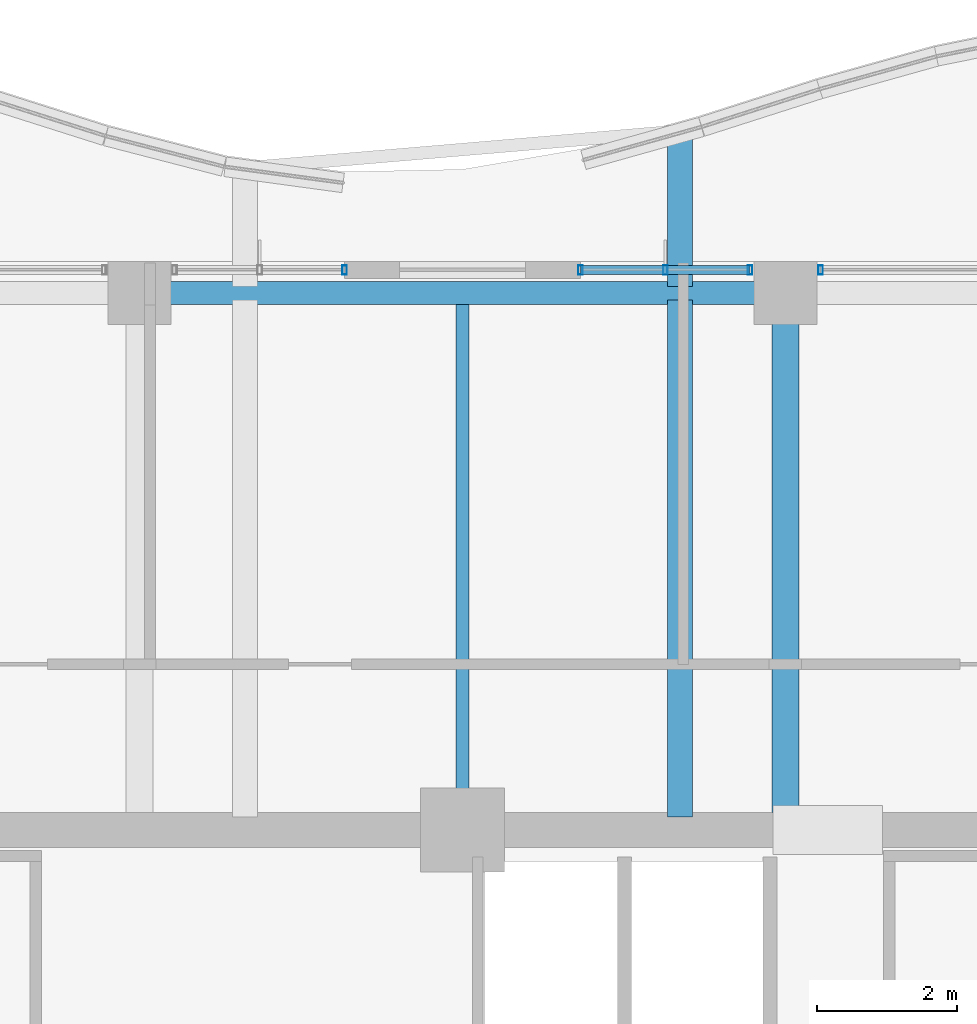
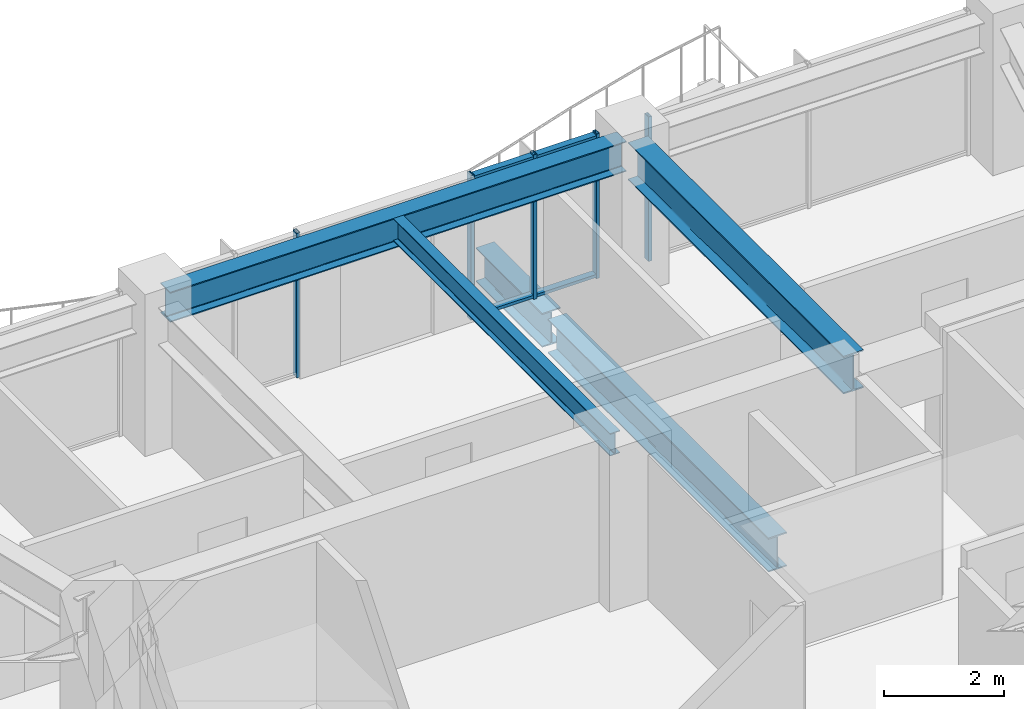
# One storey, part 18 of 31: 7 members, 5 beams, 3 elements without a shape of their own.
"""IFC4 building model written with IfcOpenShell, lengths in metres."""

from ifc_helpers import new_model, si_unit, direction, frame, origin, origin_2d, place, context, subcontext, project, spatial, hollow_rectangle, i_section, extrude, material, material_profile, profile_set, type_object, element, aggregate, save


model = new_model("IFC4")

# Units and contexts
model_context = context("Model", 3, precision=1e-05, world=origin(), true_north=direction((0.0, 1.0)))
body_context = subcontext(model_context, "Body", "Model", "MODEL_VIEW")
ifc_project = project(units=[si_unit("LENGTHUNIT", "METRE"), si_unit("AREAUNIT", "SQUARE_METRE"), si_unit("VOLUMEUNIT", "CUBIC_METRE"), si_unit("PLANEANGLEUNIT", "RADIAN"), si_unit("MASSUNIT", "GRAM", prefix="KILO")], contexts=[model_context])

# Site, building, storey
site_placement = place(None, origin())
site = spatial("IfcSite", under=ifc_project, at=site_placement, CompositionType="ELEMENT")
building_placement = place(site_placement, origin())
building = spatial("IfcBuilding", under=site, at=building_placement, Name="Kolvaren Belvedere", CompositionType="ELEMENT")
storey_placement = place(building_placement, frame((0.0, 0.0, 144.800048828125)))
storey = spatial("IfcBuildingStorey", under=building, at=storey_placement, Name="L42", CompositionType="ELEMENT", Elevation=144.800048828125)

# Beams
ifc_material_1 = material(Name="Structural steel ASTM A992 Grade 50", Category="steel")
ifc_material_profile_1 = material_profile(ifc_material_1, i_section(OverallWidth=0.35498046875, OverallDepth=0.696044921875, WebThickness=0.015380859375, FlangeThickness=0.02490234375, FilletRadius=0.02197265625, at=origin_2d()), Name="W27X146")
ifc_profile_set_1 = profile_set([ifc_material_profile_1], Name="Structural steel ASTM A992 Grade 50")
beam_type_1 = type_object("IfcBeamType", Name="BM-CANT-BAL", PredefinedType="BEAM", material=ifc_profile_set_1)
beam_1_placement = place(storey_placement, frame((3.10009765625, 17.64501953125, -0.548095703125), z_axis=(0.0, 1.0, 0.0), x_axis=(-1.0, 0.0, 0.0)))
element("IfcBeam", 1, at=beam_1_placement, inside=storey, type_object=beam_type_1, Name="L42 Planted Balcony Cantilever BAL-N-2", PredefinedType="BEAM", context=body_context, shape_type="SweptSolid", body=[
    extrude(i_section(OverallWidth=0.35498046875, OverallDepth=0.696044921875, WebThickness=0.015380859375, FlangeThickness=0.02490234375, FilletRadius=0.02197265625, at=origin_2d()), origin(), (0.0, 0.0, 1.0), 2.213623046875),
])
ifc_material_2 = material(Name="Structural steel ASTM A992 Grade 50", Category="steel")
ifc_material_profile_2 = material_profile(ifc_material_2, i_section(OverallWidth=0.35498046875, OverallDepth=0.696044921875, WebThickness=0.015380859375, FlangeThickness=0.02490234375, FilletRadius=0.02197265625, at=origin_2d()), Name="W27X146")
ifc_profile_set_2 = profile_set([ifc_material_profile_2], Name="Structural steel ASTM A992 Grade 50")
beam_type_2 = type_object("IfcBeamType", Name="BM-GIRD-W27X146", PredefinedType="BEAM", material=ifc_profile_set_2)
beam_2_placement = place(storey_placement, frame((3.10009765625, 10.090087890625, -0.548095703125), z_axis=(0.0, 1.0, 0.0), x_axis=(-1.0, 0.0, 0.0)))
element("IfcBeam", 2, at=beam_2_placement, inside=storey, type_object=beam_type_2, Name="L42 Balcony Interior Back-Span Girder BAL-N-2", PredefinedType="BEAM", context=body_context, shape_type="SweptSolid", body=[
    extrude(i_section(OverallWidth=0.35498046875, OverallDepth=0.696044921875, WebThickness=0.015380859375, FlangeThickness=0.02490234375, FilletRadius=0.02197265625, at=origin_2d()), origin(), (0.0, 0.0, 1.0), 7.364990234375),
])
ifc_material_3 = material(Name="Structural steel ASTM A992 Grade 50", Category="steel")
ifc_material_profile_3 = material_profile(ifc_material_3, i_section(OverallWidth=0.381103515625, OverallDepth=0.77294921875, WebThickness=0.0166015625, FlangeThickness=0.027099609375, FilletRadius=0.02392578125, at=origin_2d()), Name="W30X173")
ifc_profile_set_3 = profile_set([ifc_material_profile_3], Name="Structural steel ASTM A992 Grade 50")
beam_type_3 = type_object("IfcBeamType", Name="BM-GIRD-W30X173", PredefinedType="BEAM", material=ifc_profile_set_3)
beam_3_placement = place(storey_placement, frame((4.60009765625, 10.14990234375, 2.5634765625), z_axis=(0.0, 1.0, 0.0), x_axis=(-1.0, 0.0, 0.0)))
element("IfcBeam", 3, at=beam_3_placement, inside=storey, type_object=beam_type_3, Name="L42 North Radial Girder P", PredefinedType="BEAM", context=body_context, shape_type="SweptSolid", body=[
    extrude(i_section(OverallWidth=0.381103515625, OverallDepth=0.77294921875, WebThickness=0.0166015625, FlangeThickness=0.027099609375, FilletRadius=0.02392578125, at=origin_2d()), origin(), (0.0, 0.0, 1.0), 7.197509765625),
])
ifc_material_4 = material(Name="Structural steel ASTM A992 Grade 50", Category="steel")
ifc_material_profile_4 = material_profile(ifc_material_4, i_section(OverallWidth=0.19091796875, OverallDepth=0.4599609375, WebThickness=0.010009765625, FlangeThickness=0.01611328125, FilletRadius=0.014892578125, at=origin_2d()), Name="W18X55")
ifc_profile_set_4 = profile_set([ifc_material_profile_4], Name="Structural steel ASTM A992 Grade 50")
beam_type_4 = type_object("IfcBeamType", Name="BM-JOIST-W18X55", PredefinedType="BEAM", material=ifc_profile_set_4)
beam_4_placement = place(storey_placement, frame((0.0, 10.14990234375, 2.719970703125), z_axis=(0.0, 1.0, 0.0), x_axis=(-1.0, 0.0, 0.0)))
element("IfcBeam", 4, at=beam_4_placement, inside=storey, type_object=beam_type_4, Name="L42 North Centre Floor Beam", PredefinedType="BEAM", context=body_context, shape_type="SweptSolid", body=[
    extrude(i_section(OverallWidth=0.19091796875, OverallDepth=0.4599609375, WebThickness=0.010009765625, FlangeThickness=0.01611328125, FilletRadius=0.014892578125, at=origin_2d()), origin(), (0.0, 0.0, 1.0), 7.237548828125),
])
ifc_material_5 = material(Name="Structural steel ASTM A992 Grade 50", Category="steel")
ifc_material_profile_5 = material_profile(ifc_material_5, i_section(OverallWidth=0.324951171875, OverallDepth=0.615966796875, WebThickness=0.013916015625, FlangeThickness=0.021484375, FilletRadius=0.02001953125, at=origin_2d()), Name="W24X117")
ifc_profile_set_5 = profile_set([ifc_material_profile_5], Name="Structural steel ASTM A992 Grade 50")
beam_type_5 = type_object("IfcBeamType", Name="BM-SPAN-W24X117", PredefinedType="SPANDREL", material=ifc_profile_set_5)
beam_5_placement = place(storey_placement, frame((4.3974609375, 17.550048828125, 2.641845703125), z_axis=(-1.0, 0.0, 0.0), x_axis=(0.0, -1.0, 0.0)))
element("IfcBeam", 5, at=beam_5_placement, inside=storey, type_object=beam_type_5, Name="L42 Perimeter Spandrel N3-N2", PredefinedType="SPANDREL", context=body_context, shape_type="SweptSolid", body=[
    extrude(i_section(OverallWidth=0.324951171875, OverallDepth=0.615966796875, WebThickness=0.013916015625, FlangeThickness=0.021484375, FilletRadius=0.02001953125, at=origin_2d()), origin(), (0.0, 0.0, 1.0), 8.794921875),
])

# Curtain wall, member
ifc_material_6 = material(Name="Anodised pale-metal aluminium AA 6063-T6", Category="aluminium")
curtain_wall_type = type_object("IfcCurtainWallType", Name="CW-Z3-WAIST", PredefinedType="NOTDEFINED", material=ifc_material_6)
curtain_wall_1_placement = place(storey_placement, origin())
curtain_wall_1 = element("IfcCurtainWall", 6, at=curtain_wall_1_placement, inside=storey, type_object=curtain_wall_type, Name="L42 Unitised Curtain Wall FCW-L42-N1-B2", PredefinedType="NOTDEFINED")
ifc_material_7 = material(Name="Anodised pale-metal aluminium AA 6063-T6", Category="aluminium")
ifc_material_profile_6 = material_profile(ifc_material_7, hollow_rectangle(XDim=0.06494140625, YDim=0.1298828125, WallThickness=0.00390625, at=origin_2d()), Name="ALU-MUL-130X65")
ifc_profile_set_6 = profile_set([ifc_material_profile_6], Name="Anodised pale-metal aluminium AA 6063-T6")
member_type_1 = type_object("IfcMemberType", Name="CW-MUL-130", PredefinedType="MULLION", material=ifc_profile_set_6)
member_1_placement = place(storey_placement, frame((-1.679931640625, 17.8798828125, 0.0), z_axis=(0.0, 0.0, 1.0), x_axis=(1.0, 0.0, 0.0)))
member_1 = element("IfcMember", 7, at=member_1_placement, type_object=member_type_1, Name="FCW-L42-N1-B2 Unitised Mullion 3", PredefinedType="MULLION", context=body_context, shape_type="SweptSolid", body=[
    extrude(hollow_rectangle(XDim=0.06494140625, YDim=0.1298828125, WallThickness=0.00390625, at=origin_2d()), origin(), (0.0, 0.0, 1.0), 2.949951171875),
])
aggregate(curtain_wall_1, [member_1])

# Curtain wall, members
curtain_wall_2_placement = place(storey_placement, origin())
curtain_wall_2 = element("IfcCurtainWall", 8, at=curtain_wall_2_placement, inside=storey, type_object=curtain_wall_type, Name="L42 Unitised Curtain Wall FCW-L42-N2-B1", PredefinedType="NOTDEFINED")
member_2_placement = place(storey_placement, frame((1.679931640625, 17.8798828125, 0.0), z_axis=(0.0, 0.0, 1.0), x_axis=(1.0, 0.0, 0.0)))
member_2 = element("IfcMember", 9, at=member_2_placement, type_object=member_type_1, Name="FCW-L42-N2-B1 Unitised Mullion 1", PredefinedType="MULLION", context=body_context, shape_type="SweptSolid", body=[
    extrude(hollow_rectangle(XDim=0.06494140625, YDim=0.1298828125, WallThickness=0.00390625, at=origin_2d()), origin(), (0.0, 0.0, 1.0), 2.949951171875),
])
member_3_placement = place(storey_placement, frame((2.888671875, 17.8798828125, 0.0), z_axis=(0.0, 0.0, 1.0), x_axis=(1.0, 0.0, 0.0)))
member_3 = element("IfcMember", 10, at=member_3_placement, type_object=member_type_1, Name="FCW-L42-N2-B1 Unitised Mullion 2", PredefinedType="MULLION", context=body_context, shape_type="SweptSolid", body=[
    extrude(hollow_rectangle(XDim=0.06494140625, YDim=0.1298828125, WallThickness=0.00390625, at=origin_2d()), origin(), (0.0, 0.0, 1.0), 2.949951171875),
])
member_4_placement = place(storey_placement, frame((4.097412109375, 17.8798828125, 0.0), z_axis=(0.0, 0.0, 1.0), x_axis=(1.0, 0.0, 0.0)))
member_4 = element("IfcMember", 11, at=member_4_placement, type_object=member_type_1, Name="FCW-L42-N2-B1 Unitised Mullion 3", PredefinedType="MULLION", context=body_context, shape_type="SweptSolid", body=[
    extrude(hollow_rectangle(XDim=0.06494140625, YDim=0.1298828125, WallThickness=0.00390625, at=origin_2d()), origin(), (0.0, 0.0, 1.0), 2.949951171875),
])

# Curtain wall, member
curtain_wall_3_placement = place(storey_placement, origin())
curtain_wall_3 = element("IfcCurtainWall", 12, at=curtain_wall_3_placement, inside=storey, type_object=curtain_wall_type, Name="L42 Unitised Curtain Wall FCW-L42-N2-B2", PredefinedType="NOTDEFINED")
member_5_placement = place(storey_placement, frame((5.1025390625, 17.8798828125, 0.0), z_axis=(0.0, 0.0, 1.0), x_axis=(1.0, 0.0, 0.0)))
member_5 = element("IfcMember", 13, at=member_5_placement, type_object=member_type_1, Name="FCW-L42-N2-B2 Unitised Mullion 1", PredefinedType="MULLION", context=body_context, shape_type="SweptSolid", body=[
    extrude(hollow_rectangle(XDim=0.06494140625, YDim=0.1298828125, WallThickness=0.00390625, at=origin_2d()), origin(), (0.0, 0.0, 1.0), 2.949951171875),
])
aggregate(curtain_wall_3, [member_5])

# Member
ifc_material_8 = material(Name="Anodised pale-metal aluminium AA 6063-T6", Category="aluminium")
ifc_material_profile_7 = material_profile(ifc_material_8, hollow_rectangle(XDim=0.06005859375, YDim=0.1298828125, WallThickness=0.00390625, at=origin_2d()), Name="ALU-TRN-130X60")
ifc_profile_set_7 = profile_set([ifc_material_profile_7], Name="Anodised pale-metal aluminium AA 6063-T6")
member_type_2 = type_object("IfcMemberType", Name="CW-TRN-130", PredefinedType="USERDEFINED", material=ifc_profile_set_7)
member_6_placement = place(storey_placement, frame((1.679931640625, 17.8798828125, 0.06005859375), z_axis=(1.0, 0.0, 0.0), x_axis=(0.0, 0.0, 1.0)))
member_6 = element("IfcMember", 14, at=member_6_placement, type_object=member_type_2, Name="FCW-L42-N2-B1 Sill Transom", ObjectType="TRANSOM", PredefinedType="USERDEFINED", context=body_context, shape_type="SweptSolid", body=[
    extrude(hollow_rectangle(XDim=0.06005859375, YDim=0.1298828125, WallThickness=0.00390625, at=origin_2d()), origin(), (0.0, 0.0, 1.0), 2.41748046875),
])

member_7_placement = place(storey_placement, frame((1.679931640625, 17.8798828125, 2.889892578125), z_axis=(1.0, 0.0, 0.0), x_axis=(0.0, 0.0, 1.0)))
member_7 = element("IfcMember", 15, at=member_7_placement, type_object=member_type_2, Name="FCW-L42-N2-B1 Head Transom", ObjectType="TRANSOM", PredefinedType="USERDEFINED", context=body_context, shape_type="SweptSolid", body=[
    extrude(hollow_rectangle(XDim=0.06005859375, YDim=0.1298828125, WallThickness=0.00390625, at=origin_2d()), origin(), (0.0, 0.0, 1.0), 2.41748046875),
])

aggregate(curtain_wall_2, [member_2, member_3, member_4, member_6, member_7])

save(model, "model.ifc")
